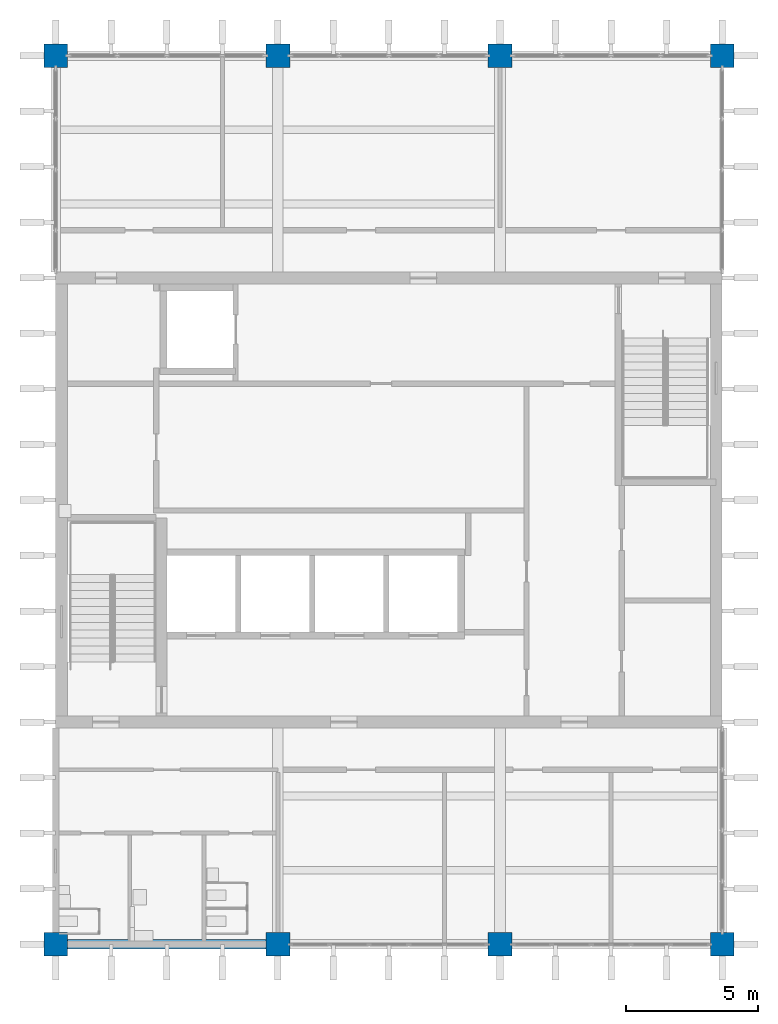
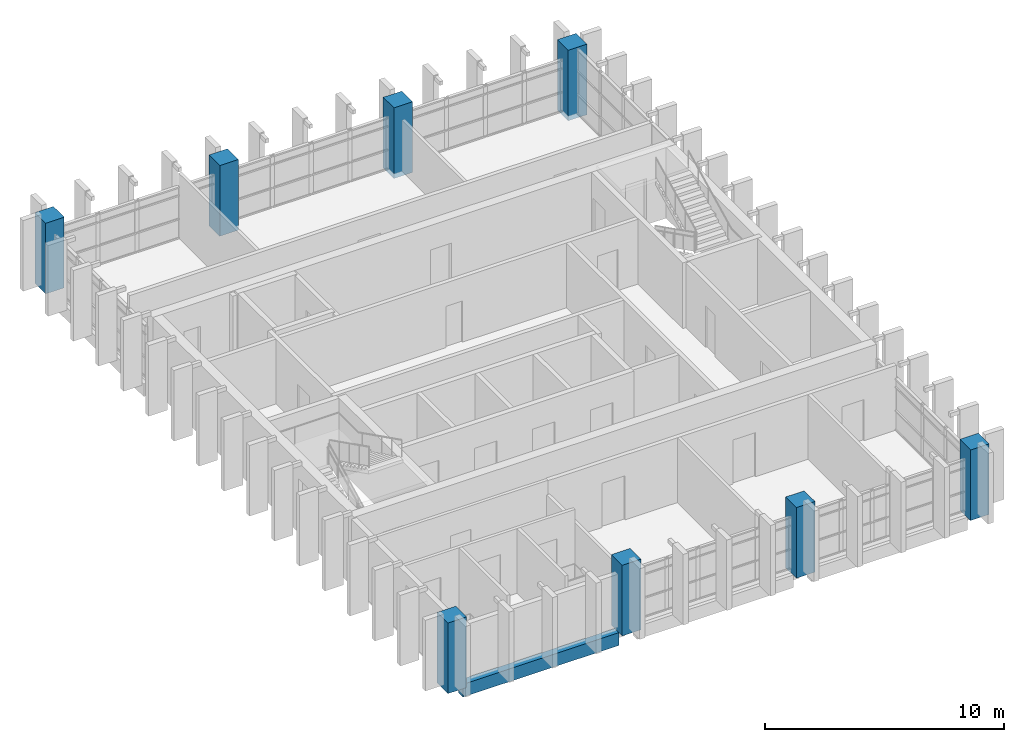
# One storey, part 1 of 11: 8 columns, 1 beam.
"""IFC4 building model written with IfcOpenShell, lengths in metres."""

import ifcopenshell
import ifcopenshell.guid

model = None  # the IFC model being written
_history = None  # IfcOwnerHistory: only IFC2X3 demands one
_inside = {}  # id of a spatial element -> (the spatial element, [elements in it])
_under = {}  # id of a project, library or spatial element -> (it, [spatial elements below it])
_declared = {}  # id of a project -> (the project, [libraries it declares])
_typed = {}  # id of a type object -> (the type object, [elements of that type])
_made_of = {}  # id of a material, layer set ... -> (it, [elements and type objects made of it])


def new_model(schema):
    """Start an empty IFC model of exactly this schema.

    Asked for "IFC4X3", IfcOpenShell would pick the latest addendum, in which some entities
    have other attributes; the version numbers below select the first issue.
    IFC2X3 requires an IfcOwnerHistory on every rooted entity: one is made here for all.
    """
    global model, _history
    if schema == "IFC4X3":
        model = ifcopenshell.file(schema_version=(4, 3, 0, 0))
    else:
        model = ifcopenshell.file(schema=schema)
    _inside.clear()
    _under.clear()
    _declared.clear()
    _typed.clear()
    _made_of.clear()
    _history = None
    if model.schema == "IFC2X3":
        org = make("IfcOrganization", Name="unknown")
        user = make(
            "IfcPersonAndOrganization",
            ThePerson=make("IfcPerson", FamilyName="unknown"),
            TheOrganization=org,
        )
        app = make(
            "IfcApplication",
            ApplicationDeveloper=org,
            Version="unknown",
            ApplicationFullName="unknown",
            ApplicationIdentifier="unknown",
        )
        _history = make(
            "IfcOwnerHistory",
            OwningUser=user,
            OwningApplication=app,
            ChangeAction="ADDED",
            CreationDate=0,
        )
    return model


def make(cls, **values):
    """One entity of the class cls with the attributes given. An attribute that is None is left unset."""
    return model.create_entity(
        cls, **{name: value for name, value in values.items() if value is not None}
    )


def rooted(cls, **values):
    """An entity with a GlobalId (a new one), such as an element, a storey or a relation."""
    return make(cls, GlobalId=ifcopenshell.guid.new(), OwnerHistory=_history, **values)


def si_unit(unit_type, name, prefix=None):
    """IfcSIUnit, for example si_unit("LENGTHUNIT", "METRE", prefix="MILLI")."""
    return make("IfcSIUnit", UnitType=unit_type, Prefix=prefix, Name=name)


def assignment(units):
    """IfcUnitAssignment: the units of a project."""
    return None if units is None else make("IfcUnitAssignment", Units=units)


def point(xyz):
    """IfcCartesianPoint."""
    return None if xyz is None else make("IfcCartesianPoint", Coordinates=xyz)


def direction(xyz):
    """IfcDirection."""
    return None if xyz is None else make("IfcDirection", DirectionRatios=xyz)


def frame(location, z_axis=None, x_axis=None):
    """IfcAxis2Placement3D, a coordinate frame: its origin and axes. An axis left out is left unset."""
    return make(
        "IfcAxis2Placement3D",
        Location=point(location),
        Axis=direction(z_axis),
        RefDirection=direction(x_axis),
    )


def frame_2d(location, x_axis=None):
    """IfcAxis2Placement2D, a coordinate frame in the plane: its origin and x axis."""
    return make(
        "IfcAxis2Placement2D", Location=point(location), RefDirection=direction(x_axis)
    )


def origin():
    """The frame at (0, 0, 0) with its axes left unset."""
    return frame((0.0, 0.0, 0.0))


def origin_2d():
    """The frame at (0, 0) in the plane with its x axis left unset."""
    return frame_2d((0.0, 0.0))


def place(relative_to, where):
    """IfcLocalPlacement: puts the frame where relative to a parent placement (None: the world)."""
    return make(
        "IfcLocalPlacement", PlacementRelTo=relative_to, RelativePlacement=where
    )


def context(
    kind, dimensions, precision=None, world=None, true_north=None, identifier=None
):
    """IfcGeometricRepresentationContext, for example the 3D "Model" context."""
    return make(
        "IfcGeometricRepresentationContext",
        ContextIdentifier=identifier,
        ContextType=kind,
        CoordinateSpaceDimension=dimensions,
        Precision=precision,
        WorldCoordinateSystem=world,
        TrueNorth=true_north,
    )


def subcontext(parent, identifier, kind, view, scale=None):
    """IfcGeometricRepresentationSubContext, for example "Body" below "Model"."""
    return make(
        "IfcGeometricRepresentationSubContext",
        ContextIdentifier=identifier,
        ContextType=kind,
        ParentContext=parent,
        TargetScale=scale,
        TargetView=view,
    )


def project(units=None, contexts=None):
    """IfcProject with its units and contexts."""
    return rooted(
        "IfcProject",
        Name="project",
        RepresentationContexts=contexts,
        UnitsInContext=assignment(units),
    )


def spatial(cls, under=None, at=None, **own):
    """A site, building, storey or space (cls), placed at a placement, below another one or the project."""
    s = rooted(cls, ObjectPlacement=at, **own)
    if under is not None:
        _under.setdefault(under.id(), (under, []))[1].append(s)
    return s


def profile(cls, at=None, kind="AREA", **sizes):
    """A parametric profile (cls). Its sizes go by their IFC names, for example OverallWidth=200.0."""
    return make(cls, ProfileType=kind, Position=at, **sizes)


def rectangle(**sizes):
    """IfcRectangleProfileDef."""
    return profile("IfcRectangleProfileDef", **sizes)


def extrude(swept, where, along, depth):
    """IfcExtrudedAreaSolid: the profile swept, set in the frame where, extruded along a direction by depth."""
    return make(
        "IfcExtrudedAreaSolid",
        SweptArea=swept,
        Position=where,
        ExtrudedDirection=direction(along),
        Depth=depth,
    )


def shape(context_of_items, identifier, shape_type, items):
    """IfcShapeRepresentation: the items that make up one representation, for example the "Body"."""
    return make(
        "IfcShapeRepresentation",
        ContextOfItems=context_of_items,
        RepresentationIdentifier=identifier,
        RepresentationType=shape_type,
        Items=items,
    )


def material(Name=None, Category=None):
    """IfcMaterial."""
    return make("IfcMaterial", Name=Name, Category=Category)


def material_profile(
    of_material, cross_section, Name=None, Category=None, Priority=None
):
    """IfcMaterialProfile: a cross section and its material."""
    return make(
        "IfcMaterialProfile",
        Name=Name,
        Material=of_material,
        Profile=cross_section,
        Priority=Priority,
        Category=Category,
    )


def profile_set(profiles, Name=None, composite=None):
    """IfcMaterialProfileSet."""
    return make(
        "IfcMaterialProfileSet",
        Name=Name,
        MaterialProfiles=profiles,
        CompositeProfile=composite,
    )


def made_of(thing, what):
    """Note that an element or type object is made of a material, layer set ...; save() writes the relation."""
    if what is not None:
        _made_of.setdefault(what.id(), (what, []))[1].append(thing)
    return thing


def type_object(cls, material=None, **own):
    """A type object (cls), such as IfcWallType, which elements share."""
    return made_of(rooted(cls, **own), material)


def element(
    cls,
    number,
    at=None,
    inside=None,
    cuts=None,
    type_object=None,
    material=None,
    context=None,
    identifier="Body",
    shape_type=None,
    held_by="IfcProductDefinitionShape",
    body=None,
    shapes=None,
    **own,
):
    """One element of the class cls, such as IfcWall. Its Tag is "e" and its number.

    at: its placement. inside: the storey or other place that contains it. cuts: it is an
    opening in that element (IfcRelVoidsElement). A single representation is given by context,
    identifier, shape_type and body (its items); several are given by shapes. held_by: the class
    of the entity that holds the representations. save() writes the other relations.
    """
    e = rooted(cls, Tag="e%d" % number, ObjectPlacement=at, **own)
    if body is not None:
        shapes = [shape(context, identifier, shape_type, body)]
    if shapes is not None:
        e.Representation = make(held_by, Representations=shapes)
    if inside is not None:
        _inside.setdefault(inside.id(), (inside, []))[1].append(e)
    if cuts is not None:
        rooted(
            "IfcRelVoidsElement", RelatingBuildingElement=cuts, RelatedOpeningElement=e
        )
    if type_object is not None:
        _typed.setdefault(type_object.id(), (type_object, []))[1].append(e)
    return made_of(e, material)


def aggregate(whole, parts):
    """IfcRelAggregates: a whole, such as a stair, and the parts it consists of."""
    return rooted("IfcRelAggregates", RelatingObject=whole, RelatedObjects=parts)


def save(model, path):
    """Write the relations noted so far, then the file.

    IfcRelAggregates (storeys below a building ...), IfcRelContainedInSpatialStructure (elements
    in a storey), IfcRelDefinesByType, IfcRelAssociatesMaterial and IfcRelDeclares: one each for
    every whole, place, type object, material and project.
    """
    for whole, parts in _under.values():
        aggregate(whole, parts)
    for where, things in _inside.values():
        rooted(
            "IfcRelContainedInSpatialStructure",
            RelatedElements=things,
            RelatingStructure=where,
        )
    for kind, things in _typed.values():
        rooted("IfcRelDefinesByType", RelatedObjects=things, RelatingType=kind)
    for what, things in _made_of.values():
        rooted("IfcRelAssociatesMaterial", RelatedObjects=things, RelatingMaterial=what)
    for by, libraries in _declared.values():
        rooted("IfcRelDeclares", RelatingContext=by, RelatedDefinitions=libraries)
    model.write(path)


model = new_model("IFC4")

# Units and contexts
model_context = context("Model", 3, precision=1e-05, world=origin(), true_north=direction((0.0, 1.0)))
body_context = subcontext(model_context, "Body", "Model", "MODEL_VIEW")
ifc_project = project(units=[si_unit("LENGTHUNIT", "METRE"), si_unit("AREAUNIT", "SQUARE_METRE"), si_unit("VOLUMEUNIT", "CUBIC_METRE"), si_unit("PLANEANGLEUNIT", "RADIAN"), si_unit("MASSUNIT", "GRAM", prefix="KILO")], contexts=[model_context])

# Site, building, storey
site_placement = place(None, origin())
site = spatial("IfcSite", under=ifc_project, at=site_placement, CompositionType="ELEMENT")
building_placement = place(site_placement, origin())
building = spatial("IfcBuilding", under=site, at=building_placement, Name="Rulbaag Community and Learning Centre", CompositionType="ELEMENT")
storey_placement = place(building_placement, frame((0.0, 0.0, 32.39990234375)))
storey = spatial("IfcBuildingStorey", under=building, at=storey_placement, Name="L08", CompositionType="ELEMENT", Elevation=32.39990234375)

# Columns
ifc_material_1 = material(Name="Concrete M60", Category="concrete")
ifc_material_profile_1 = material_profile(ifc_material_1, rectangle(XDim=0.89990234375, YDim=0.89990234375, at=origin_2d()), Name="RC900x900")
ifc_profile_set_1 = profile_set([ifc_material_profile_1], Name="Concrete M60")
column_type = type_object("IfcColumnType", Name="C2 Column 900x900 Concrete M60", PredefinedType="COLUMN", material=ifc_profile_set_1)
for number, where, z_axis, x_axis, name in (
    (1, (142.800048828125, 84.0, -0.25), (0.0, 0.0, 1.0), (1.0, 0.0, 0.0), "COL-18K-L08"),
    (2, (142.800048828125, 117.60009765625, -0.25), (0.0, 0.0, 1.0), (1.0, 0.0, 0.0), "COL-18O-L08"),
    (3, (151.199951171875, 84.0, -0.25), (0.0, 0.0, 1.0), (1.0, 0.0, 0.0), "COL-19K-L08"),
    (4, (151.199951171875, 117.60009765625, -0.25), (0.0, 0.0, 1.0), (1.0, 0.0, 0.0), "COL-19O-L08"),
    (5, (159.60009765625, 84.0, -0.25), (0.0, 0.0, 1.0), (1.0, 0.0, 0.0), "COL-20K-L08"),
    (6, (159.60009765625, 117.60009765625, -0.25), (0.0, 0.0, 1.0), (1.0, 0.0, 0.0), "COL-20O-L08"),
    (7, (168.0, 84.0, -0.25), (0.0, 0.0, 1.0), (1.0, 0.0, 0.0), "COL-21K-L08"),
    (8, (168.0, 117.60009765625, -0.25), (0.0, 0.0, 1.0), (1.0, 0.0, 0.0), "COL-21O-L08"),
):
    element("IfcColumn", number, at=place(storey_placement, frame(where, z_axis=z_axis, x_axis=x_axis)), inside=storey, type_object=column_type, Name=name, PredefinedType="COLUMN", context=body_context, shape_type="SweptSolid", body=[
        extrude(rectangle(XDim=0.89990234375, YDim=0.89990234375, at=origin_2d()), origin(), (0.0, 0.0, 1.0), 3.60009765625),
    ])

# Beam
ifc_material_2 = material(Name="Concrete M40", Category="concrete")
ifc_material_profile_2 = material_profile(ifc_material_2, rectangle(XDim=0.35009765625, YDim=0.64990234375, at=origin_2d()), Name="RB350x650")
ifc_profile_set_2 = profile_set([ifc_material_profile_2], Name="Concrete M40")
beam_type = type_object("IfcBeamType", Name="B14 Tower edge beam, upper zone 350x650 Concrete M40", PredefinedType="BEAM", material=ifc_profile_set_2)
beam_placement = place(storey_placement, frame((143.22998046875, 84.0, -0.574951171875), z_axis=(1.0, 0.0, 0.0), x_axis=(0.0, 1.0, 0.0)))
element("IfcBeam", 9, at=beam_placement, inside=storey, type_object=beam_type, Name="BM-L08-18K-19K", PredefinedType="BEAM", context=body_context, shape_type="SweptSolid", body=[
    extrude(rectangle(XDim=0.35009765625, YDim=0.64990234375, at=origin_2d()), origin(), (0.0, 0.0, 1.0), 7.5400390625),
])

save(model, "model.ifc")
